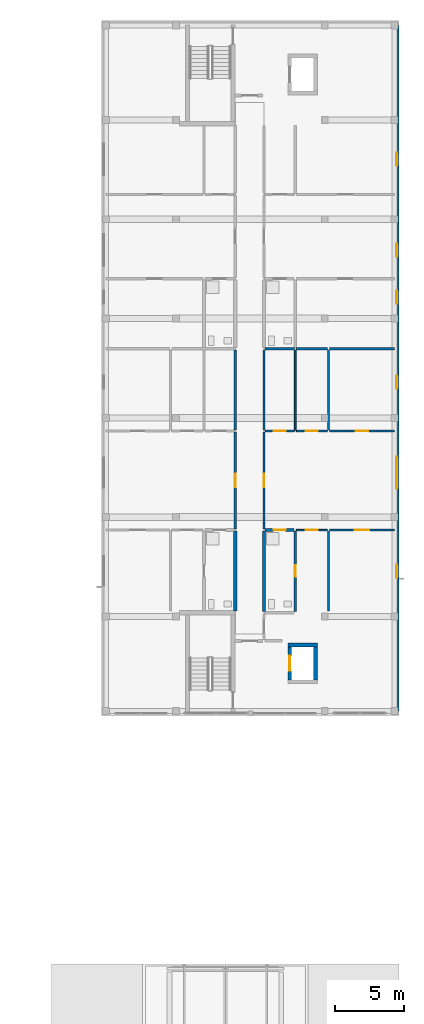
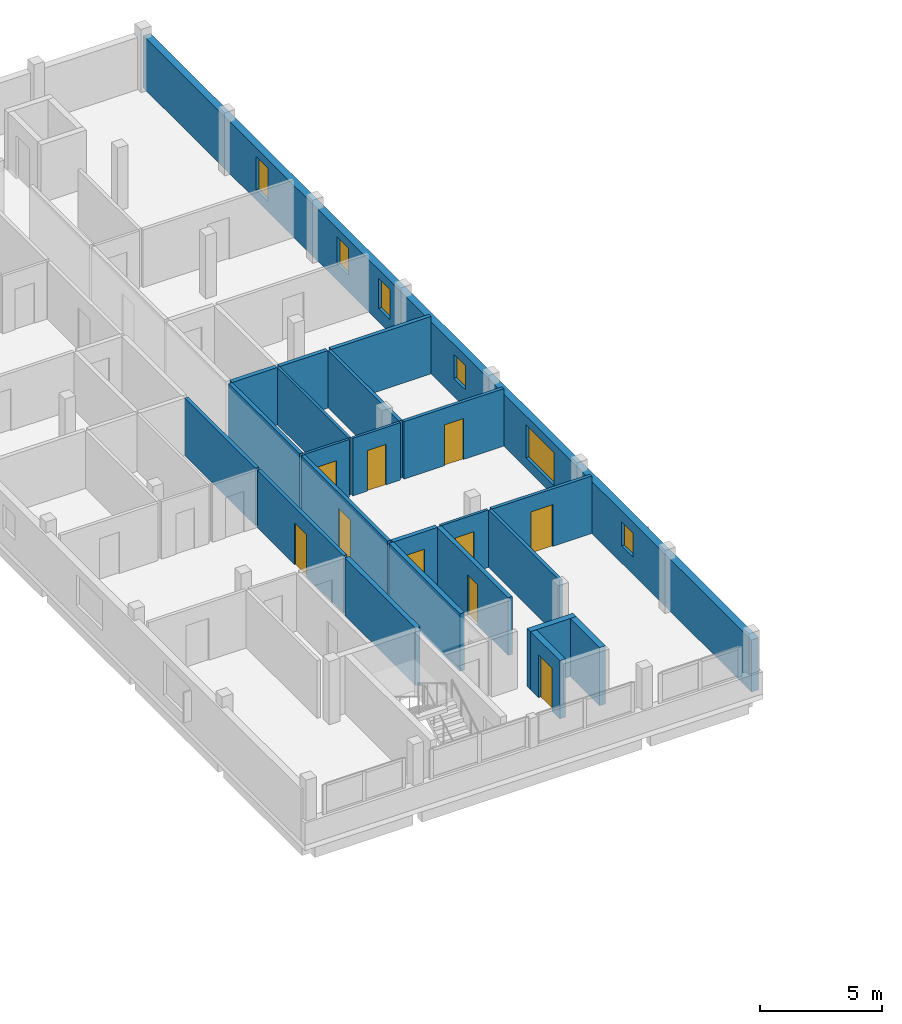
# One storey, part 17 of 29: 23 walls, 10 doors, 6 windows, 16 openings.
"""IFC4 building model written with IfcOpenShell, lengths in metres."""

from ifc_helpers import new_model, si_unit, derived_unit, direction, frame, frame_2d, origin, place, context, subcontext, project, spatial, rectangle, extrude, material, layer, layer_set, type_object, element, fill, save


model = new_model("IFC4")

# Units and contexts
model_context = context("Model", 3, precision=1e-05, world=origin(), true_north=direction((0.0, 1.0)))
body_context = subcontext(model_context, "Body", "Model", "MODEL_VIEW")
ifc_project = project(units=[si_unit("LENGTHUNIT", "METRE"), si_unit("AREAUNIT", "SQUARE_METRE"), si_unit("VOLUMEUNIT", "CUBIC_METRE"), si_unit("PLANEANGLEUNIT", "RADIAN"), si_unit("MASSUNIT", "GRAM", prefix="KILO"), derived_unit("THERMALTRANSMITTANCEUNIT", [(si_unit("MASSUNIT", "GRAM", prefix="KILO"), 1), (si_unit("TIMEUNIT", "SECOND"), -3), (si_unit("THERMODYNAMICTEMPERATUREUNIT", "KELVIN"), -1)])], contexts=[model_context])

# Site, building, storey
site_placement = place(None, origin())
site = spatial("IfcSite", under=ifc_project, at=site_placement, CompositionType="ELEMENT")
building_placement = place(site_placement, origin())
building = spatial("IfcBuilding", under=site, at=building_placement, Name="Ochrekiln Boulevard Commons", CompositionType="ELEMENT")
storey_placement = place(building_placement, frame((0.0, 0.0, 37.27490234375)))
storey = spatial("IfcBuildingStorey", under=building, at=storey_placement, Name="L11", CompositionType="ELEMENT", Elevation=37.27490234375)

# Wall, openings, windows
ifc_material_1 = material(Name="Iron-spot brown clinker brick masonry ASTM C216 Grade SW", Category="masonry")
ifc_layer_1 = layer(ifc_material_1, 0.340087890625)
ifc_layer_set_1 = layer_set([ifc_layer_1], Name="Iron-spot brown clinker brick masonry ASTM C216 Grade SW")
wall_type_1 = type_object("IfcWallType", Name="WL-EXT-IRON-340", PredefinedType="SOLIDWALL", material=ifc_layer_set_1)
wall_1_placement = place(storey_placement, frame((172.6298828125, 68.739990234375, 0.0), z_axis=(0.0, 0.0, 1.0), x_axis=(0.0, 1.0, 0.0)))
wall_1 = element("IfcWall", 1, at=wall_1_placement, inside=storey, type_object=wall_type_1, Name="Block B L11 E Exterior Wall", PredefinedType="SOLIDWALL", context=body_context, shape_type="SweptSolid", body=[
    extrude(rectangle(XDim=49.719970703125, YDim=0.340087890625, at=frame_2d((24.85986328125, 0.0))), origin(), (0.0, 0.0, 1.0), 2.60009765625),
])
opening_1_placement = place(wall_1_placement, frame((16.132080078125, 0.0, 0.514892578125)))
opening_1 = element("IfcOpeningElement", 2, at=opening_1_placement, cuts=wall_1, Name="Opening W-59", PredefinedType="OPENING", context=body_context, shape_type="SweptSolid", body=[
    extrude(rectangle(XDim=2.300048828125, YDim=1.64990234375, at=frame_2d((1.14990234375, 0.824951171875))), frame((0.0, 0.179931640625, 0.0), z_axis=(0.0, -1.0, 0.0), x_axis=(1.0, 0.0, 0.0)), (0.0, 0.0, 1.0), 0.360107421875),
])
opening_2_placement = place(wall_1_placement, frame((9.677978515625, 0.0, 0.85009765625)))
opening_2 = element("IfcOpeningElement", 3, at=opening_2_placement, cuts=wall_1, Name="Opening W-01", PredefinedType="OPENING", context=body_context, shape_type="SweptSolid", body=[
    extrude(rectangle(XDim=0.949951171875, YDim=1.199951171875, at=frame_2d((0.47509765625, 0.60009765625))), frame((0.0, 0.179931640625, 0.0), z_axis=(0.0, -1.0, 0.0), x_axis=(1.0, 0.0, 0.0)), (0.0, 0.0, 1.0), 0.360107421875),
])
opening_3_placement = place(wall_1_placement, frame((23.37890625, 0.0, 0.89990234375)))
opening_3 = element("IfcOpeningElement", 4, at=opening_3_placement, cuts=wall_1, Name="Opening W-01", PredefinedType="OPENING", context=body_context, shape_type="SweptSolid", body=[
    extrude(rectangle(XDim=0.949951171875, YDim=1.199951171875, at=frame_2d((0.47509765625, 0.60009765625))), frame((0.0, 0.179931640625, 0.0), z_axis=(0.0, -1.0, 0.0), x_axis=(1.0, 0.0, 0.0)), (0.0, 0.0, 1.0), 0.360107421875),
])
opening_4_placement = place(wall_1_placement, frame((32.93505859375, 0.0, 0.81494140625)))
opening_4 = element("IfcOpeningElement", 5, at=opening_4_placement, cuts=wall_1, Name="Opening W-02", PredefinedType="OPENING", context=body_context, shape_type="SweptSolid", body=[
    extrude(rectangle(XDim=0.949951171875, YDim=1.35009765625, at=frame_2d((0.47509765625, 0.675048828125))), frame((0.0, 0.179931640625, 0.0), z_axis=(0.0, -1.0, 0.0), x_axis=(1.0, 0.0, 0.0)), (0.0, 0.0, 1.0), 0.360107421875),
])
opening_5_placement = place(wall_1_placement, frame((29.52490234375, 0.0, 0.6650390625)))
opening_5 = element("IfcOpeningElement", 6, at=opening_5_placement, cuts=wall_1, Name="Opening W-03", PredefinedType="OPENING", context=body_context, shape_type="SweptSolid", body=[
    extrude(rectangle(XDim=0.949951171875, YDim=1.5, at=frame_2d((0.47509765625, 0.75))), frame((0.0, 0.179931640625, 0.0), z_axis=(0.0, -1.0, 0.0), x_axis=(1.0, 0.0, 0.0)), (0.0, 0.0, 1.0), 0.360107421875),
])
opening_6_placement = place(wall_1_placement, frame((39.529052734375, 0.0, 0.514892578125)))
opening_6 = element("IfcOpeningElement", 7, at=opening_6_placement, cuts=wall_1, Name="Opening W-04", PredefinedType="OPENING", context=body_context, shape_type="SweptSolid", body=[
    extrude(rectangle(XDim=0.949951171875, YDim=1.64990234375, at=frame_2d((0.47509765625, 0.824951171875))), frame((0.0, 0.179931640625, 0.0), z_axis=(0.0, -1.0, 0.0), x_axis=(1.0, 0.0, 0.0)), (0.0, 0.0, 1.0), 0.360107421875),
])
ifc_material_2 = material(Name="Thermally broken aluminium-clad oak frame", Category="aluminium")
window_type_1 = type_object("IfcWindowType", Name="WIN-EXT-01", PartitioningType="SINGLE_PANEL", PredefinedType="WINDOW", material=ifc_material_2)
window_1_placement = place(opening_2_placement, origin())
window_1 = element("IfcWindow", 8, at=window_1_placement, inside=storey, type_object=window_type_1, Name="Block B L11 Punched Masonry Window W-01", OverallHeight=1.199951171875, OverallWidth=0.949951171875, PartitioningType="SINGLE_PANEL", PredefinedType="WINDOW", context=body_context, shape_type="SweptSolid", body=[
    extrude(rectangle(XDim=0.949951171875, YDim=1.199951171875, at=frame_2d((0.47509765625, 0.60009765625))), frame((0.0, 0.030029296875, 0.0), z_axis=(0.0, -1.0, 0.0), x_axis=(1.0, 0.0, 0.0)), (0.0, 0.0, 1.0), 0.06005859375),
])
fill(opening_2, window_1)
window_2_placement = place(opening_3_placement, origin())
window_2 = element("IfcWindow", 9, at=window_2_placement, inside=storey, type_object=window_type_1, Name="Block B L11 Punched Masonry Window W-01", OverallHeight=1.199951171875, OverallWidth=0.949951171875, PartitioningType="SINGLE_PANEL", PredefinedType="WINDOW", context=body_context, shape_type="SweptSolid", body=[
    extrude(rectangle(XDim=0.949951171875, YDim=1.199951171875, at=frame_2d((0.47509765625, 0.60009765625))), frame((0.0, 0.030029296875, 0.0), z_axis=(0.0, -1.0, 0.0), x_axis=(1.0, 0.0, 0.0)), (0.0, 0.0, 1.0), 0.06005859375),
])
fill(opening_3, window_2)
window_type_2 = type_object("IfcWindowType", Name="WIN-EXT-02", PartitioningType="SINGLE_PANEL", PredefinedType="WINDOW", material=ifc_material_2)
window_3_placement = place(opening_4_placement, origin())
window_3 = element("IfcWindow", 10, at=window_3_placement, inside=storey, type_object=window_type_2, Name="Block B L11 Punched Masonry Window W-02", OverallHeight=1.35009765625, OverallWidth=0.949951171875, PartitioningType="SINGLE_PANEL", PredefinedType="WINDOW", context=body_context, shape_type="SweptSolid", body=[
    extrude(rectangle(XDim=0.949951171875, YDim=1.35009765625, at=frame_2d((0.47509765625, 0.675048828125))), frame((0.0, 0.030029296875, 0.0), z_axis=(0.0, -1.0, 0.0), x_axis=(1.0, 0.0, 0.0)), (0.0, 0.0, 1.0), 0.06005859375),
])
fill(opening_4, window_3)
window_type_3 = type_object("IfcWindowType", Name="WIN-EXT-03", PartitioningType="SINGLE_PANEL", PredefinedType="WINDOW", material=ifc_material_2)
window_4_placement = place(opening_5_placement, origin())
window_4 = element("IfcWindow", 11, at=window_4_placement, inside=storey, type_object=window_type_3, Name="Block B L11 Punched Masonry Window W-03", OverallHeight=1.5, OverallWidth=0.949951171875, PartitioningType="SINGLE_PANEL", PredefinedType="WINDOW", context=body_context, shape_type="SweptSolid", body=[
    extrude(rectangle(XDim=0.949951171875, YDim=1.5, at=frame_2d((0.47509765625, 0.75))), frame((0.0, 0.030029296875, 0.0), z_axis=(0.0, -1.0, 0.0), x_axis=(1.0, 0.0, 0.0)), (0.0, 0.0, 1.0), 0.06005859375),
])
fill(opening_5, window_4)
window_type_4 = type_object("IfcWindowType", Name="WIN-EXT-04", PartitioningType="SINGLE_PANEL", PredefinedType="WINDOW", material=ifc_material_2)
window_5_placement = place(opening_6_placement, origin())
window_5 = element("IfcWindow", 12, at=window_5_placement, inside=storey, type_object=window_type_4, Name="Block B L11 Punched Masonry Window W-04", OverallHeight=1.64990234375, OverallWidth=0.949951171875, PartitioningType="SINGLE_PANEL", PredefinedType="WINDOW", context=body_context, shape_type="SweptSolid", body=[
    extrude(rectangle(XDim=0.949951171875, YDim=1.64990234375, at=frame_2d((0.47509765625, 0.824951171875))), frame((0.0, 0.030029296875, 0.0), z_axis=(0.0, -1.0, 0.0), x_axis=(1.0, 0.0, 0.0)), (0.0, 0.0, 1.0), 0.06005859375),
])
fill(opening_6, window_5)
window_type_5 = type_object("IfcWindowType", Name="WIN-EXT-59", PartitioningType="DOUBLE_PANEL_VERTICAL", PredefinedType="WINDOW", material=ifc_material_2)
window_6_placement = place(opening_1_placement, origin())
window_6 = element("IfcWindow", 13, at=window_6_placement, inside=storey, type_object=window_type_5, Name="Block B L11 Punched Masonry Window W-59", OverallHeight=1.64990234375, OverallWidth=2.300048828125, PartitioningType="DOUBLE_PANEL_VERTICAL", PredefinedType="WINDOW", context=body_context, shape_type="SweptSolid", body=[
    extrude(rectangle(XDim=2.300048828125, YDim=1.64990234375, at=frame_2d((1.14990234375, 0.824951171875))), frame((0.0, 0.030029296875, 0.0), z_axis=(0.0, -1.0, 0.0), x_axis=(1.0, 0.0, 0.0)), (0.0, 0.0, 1.0), 0.06005859375),
])
fill(opening_1, window_6)

# Wall, opening, door
ifc_material_3 = material(Name="Moisture-resistant cementitious tile backer wall")
ifc_layer_2 = layer(ifc_material_3, 0.199951171875)
ifc_layer_set_2 = layer_set([ifc_layer_2], Name="Moisture-resistant cementitious tile backer wall")
wall_type_2 = type_object("IfcWallType", Name="WL-PLM-200", PredefinedType="PLUMBINGWALL", material=ifc_layer_set_2)
wall_2_placement = place(storey_placement, frame((163.072998046875, 81.864990234375, 0.0), z_axis=(0.0, 0.0, 1.0), x_axis=(1.0, 0.0, 0.0)))
wall_2 = element("IfcWall", 14, at=wall_2_placement, inside=storey, type_object=wall_type_2, Name="L11 Interior Wall W-PW200", PredefinedType="PLUMBINGWALL", context=body_context, shape_type="SweptSolid", body=[
    extrude(rectangle(XDim=2.10693359375, YDim=0.199951171875, at=frame_2d((1.053466796875, 0.0))), origin(), (0.0, 0.0, 1.0), 2.8701171875),
])
opening_7_placement = place(wall_2_placement, frame((0.626953125, 0.0, 0.0)))
opening_7 = element("IfcOpeningElement", 15, at=opening_7_placement, cuts=wall_2, Name="Opening D-L11-1280", PredefinedType="OPENING", context=body_context, shape_type="SweptSolid", body=[
    extrude(rectangle(XDim=0.860107421875, YDim=2.0, at=frame_2d((0.43017578125, 1.0))), frame((0.0, 0.10986328125, 0.0), z_axis=(0.0, -1.0, 0.0), x_axis=(1.0, 0.0, 0.0)), (0.0, 0.0, 1.0), 0.219970703125),
])
ifc_material_4 = material(Name="Solid core architectural oak door leaf")
door_type_1 = type_object("IfcDoorType", Name="DR-INT-BTH-086", OperationType="NOTDEFINED", PredefinedType="DOOR", material=ifc_material_4)
door_1_placement = place(opening_7_placement, frame((0.860107421875, 0.0, 0.0), z_axis=(0.0, 0.0, 1.0), x_axis=(-1.0, 0.0, 0.0)))
door_1 = element("IfcDoor", 16, at=door_1_placement, inside=storey, type_object=door_type_1, Name="L11 Interior Door to Apartment Bathroom", OperationType="SINGLE_SWING_RIGHT", OverallHeight=2.0, OverallWidth=0.860107421875, PredefinedType="DOOR", context=body_context, shape_type="SweptSolid", body=[
    extrude(rectangle(XDim=0.860107421875, YDim=2.0, at=frame_2d((0.43017578125, 1.0))), frame((0.0, 0.02490234375, 0.0), z_axis=(0.0, -1.0, 0.0), x_axis=(1.0, 0.0, 0.0)), (0.0, 0.0, 1.0), 0.050048828125),
])
fill(opening_7, door_1)

wall_3_placement = place(storey_placement, frame((165.260009765625, 75.97509765625, 0.0), z_axis=(0.0, 0.0, 1.0), x_axis=(0.0, 1.0, 0.0)))
wall_3 = element("IfcWall", 17, at=wall_3_placement, inside=storey, type_object=wall_type_2, Name="L11 Interior Wall W-PW200", PredefinedType="PLUMBINGWALL", context=body_context, shape_type="SweptSolid", body=[
    extrude(rectangle(XDim=5.829833984375, YDim=0.199951171875, at=frame_2d((2.9150390625, 0.0))), origin(), (0.0, 0.0, 1.0), 2.8701171875),
])
opening_8_placement = place(wall_3_placement, frame((2.492919921875, 0.0, 0.0)))
opening_8 = element("IfcOpeningElement", 18, at=opening_8_placement, cuts=wall_3, Name="Opening D-L11-1286", PredefinedType="OPENING", context=body_context, shape_type="SweptSolid", body=[
    extrude(rectangle(XDim=0.85009765625, YDim=2.010009765625, at=frame_2d((0.425048828125, 1.0048828125))), frame((0.0, 0.10986328125, 0.0), z_axis=(0.0, -1.0, 0.0), x_axis=(1.0, 0.0, 0.0)), (0.0, 0.0, 1.0), 0.219970703125),
])
door_type_2 = type_object("IfcDoorType", Name="DR-INT-KIT-085", OperationType="NOTDEFINED", PredefinedType="DOOR", material=ifc_material_4)
door_2_placement = place(opening_8_placement, origin())
door_2 = element("IfcDoor", 19, at=door_2_placement, inside=storey, type_object=door_type_2, Name="L11 Interior Door to Apartment Bathroom", OperationType="SINGLE_SWING_RIGHT", OverallHeight=2.010009765625, OverallWidth=0.85009765625, PredefinedType="DOOR", context=body_context, shape_type="SweptSolid", body=[
    extrude(rectangle(XDim=0.85009765625, YDim=2.010009765625, at=frame_2d((0.425048828125, 1.0048828125))), frame((0.0, 0.02490234375, 0.0), z_axis=(0.0, -1.0, 0.0), x_axis=(1.0, 0.0, 0.0)), (0.0, 0.0, 1.0), 0.050048828125),
])
fill(opening_8, door_2)

# Walls
wall_4_placement = place(storey_placement, frame((163.072998046875, 95.008056640625, 0.0), z_axis=(0.0, 0.0, 1.0), x_axis=(1.0, 0.0, 0.0)))
element("IfcWall", 20, at=wall_4_placement, inside=storey, type_object=wall_type_2, Name="L11 Interior Wall W-PW200", PredefinedType="PLUMBINGWALL", context=body_context, shape_type="SweptSolid", body=[
    extrude(rectangle(XDim=2.126953125, YDim=0.199951171875, at=frame_2d((1.0634765625, 0.0))), origin(), (0.0, 0.0, 1.0), 2.8701171875),
])
ifc_layer_3 = layer(ifc_material_3, 0.219970703125)
ifc_layer_set_3 = layer_set([ifc_layer_3], Name="Moisture-resistant cementitious tile backer wall")
wall_type_3 = type_object("IfcWallType", Name="WL-PLM-220", PredefinedType="PLUMBINGWALL", material=ifc_layer_set_3)
wall_5_placement = place(storey_placement, frame((160.909912109375, 76.0, 0.0), z_axis=(0.0, 0.0, 1.0), x_axis=(0.0, 1.0, 0.0)))
element("IfcWall", 21, at=wall_5_placement, inside=storey, type_object=wall_type_3, Name="L11 Interior Wall W-PW220", PredefinedType="PLUMBINGWALL", context=body_context, shape_type="SweptSolid", body=[
    extrude(rectangle(XDim=5.784912109375, YDim=0.219970703125, at=frame_2d((2.892578125, 0.0))), origin(), (0.0, 0.0, 1.0), 2.8701171875),
])
wall_6_placement = place(storey_placement, frame((162.989990234375, 75.97509765625, 0.0), z_axis=(0.0, 0.0, 1.0), x_axis=(0.0, 1.0, 0.0)))
element("IfcWall", 22, at=wall_6_placement, inside=storey, type_object=wall_type_3, Name="L11 Interior Wall W-PW220", PredefinedType="PLUMBINGWALL", context=body_context, shape_type="SweptSolid", body=[
    extrude(rectangle(XDim=5.809814453125, YDim=0.219970703125, at=frame_2d((2.90478515625, 0.0))), origin(), (0.0, 0.0, 1.0), 2.8701171875),
])

# Wall, opening, door
ifc_material_5 = material(Name="Fire-rated Type X gypsum board on steel studs", Category="steel")
ifc_layer_4 = layer(ifc_material_5, 0.1650390625)
ifc_layer_set_4 = layer_set([ifc_layer_4], Name="Fire-rated Type X gypsum board on steel studs")
wall_type_4 = type_object("IfcWallType", Name="WL-PT-CORR-165", PredefinedType="PARTITIONING", material=ifc_layer_set_4)
wall_7_placement = place(storey_placement, frame((160.909912109375, 81.945068359375, 0.0), z_axis=(0.0, 0.0, 1.0), x_axis=(0.0, 1.0, 0.0)))
wall_7 = element("IfcWall", 23, at=wall_7_placement, inside=storey, type_object=wall_type_4, Name="L11 Interior Wall W-PC165", PredefinedType="PARTITIONING", context=body_context, shape_type="SweptSolid", body=[
    extrude(rectangle(XDim=7.02783203125, YDim=0.1650390625, at=frame_2d((3.513916015625, 0.0))), origin(), (0.0, 0.0, 1.0), 2.8701171875),
])
opening_9_placement = place(wall_7_placement, frame((3.02392578125, 0.0, 0.0)))
opening_9 = element("IfcOpeningElement", 24, at=opening_9_placement, cuts=wall_7, Name="Opening D-L11-1265", PredefinedType="OPENING", context=body_context, shape_type="SweptSolid", body=[
    extrude(rectangle(XDim=0.97998046875, YDim=2.080078125, at=frame_2d((0.489990234375, 1.0400390625))), frame((0.0, 0.092529296875, 0.0), z_axis=(0.0, -1.0, 0.0), x_axis=(1.0, 0.0, 0.0)), (0.0, 0.0, 1.0), 0.18505859375),
])
door_type_3 = type_object("IfcDoorType", Name="DR-APT-60", OperationType="NOTDEFINED", PredefinedType="DOOR", material=ifc_material_4)
door_3_placement = place(opening_9_placement, origin())
door_3 = element("IfcDoor", 25, at=door_3_placement, inside=storey, type_object=door_type_3, Name="L11 Interior Door to Two-Bedroom Apartment Living Room", OperationType="SINGLE_SWING_LEFT", OverallHeight=2.080078125, OverallWidth=0.97998046875, PredefinedType="DOOR", context=body_context, shape_type="SweptSolid", body=[
    extrude(rectangle(XDim=0.97998046875, YDim=2.080078125, at=frame_2d((0.489990234375, 1.0400390625))), frame((0.0, 0.02490234375, 0.0), z_axis=(0.0, -1.0, 0.0), x_axis=(1.0, 0.0, 0.0)), (0.0, 0.0, 1.0), 0.050048828125),
])
fill(opening_9, door_3)

# Wall
wall_8_placement = place(storey_placement, frame((160.909912109375, 89.133056640625, 0.0), z_axis=(0.0, 0.0, 1.0), x_axis=(0.0, 1.0, 0.0)))
element("IfcWall", 26, at=wall_8_placement, inside=storey, type_object=wall_type_4, Name="L11 Interior Wall W-PC165", PredefinedType="PARTITIONING", context=body_context, shape_type="SweptSolid", body=[
    extrude(rectangle(XDim=5.784912109375, YDim=0.1650390625, at=frame_2d((2.892578125, 0.0))), origin(), (0.0, 0.0, 1.0), 2.8701171875),
])

# Wall, opening, door
wall_9_placement = place(storey_placement, frame((162.989990234375, 81.945068359375, 0.0), z_axis=(0.0, 0.0, 1.0), x_axis=(0.0, 1.0, 0.0)))
wall_9 = element("IfcWall", 27, at=wall_9_placement, inside=storey, type_object=wall_type_4, Name="L11 Interior Wall W-PC165", PredefinedType="PARTITIONING", context=body_context, shape_type="SweptSolid", body=[
    extrude(rectangle(XDim=7.02783203125, YDim=0.1650390625, at=frame_2d((3.513916015625, 0.0))), origin(), (0.0, 0.0, 1.0), 2.8701171875),
])
opening_10_placement = place(wall_9_placement, frame((3.02392578125, 0.0, 0.0)))
opening_10 = element("IfcOpeningElement", 28, at=opening_10_placement, cuts=wall_9, Name="Opening D-L11-1267", PredefinedType="OPENING", context=body_context, shape_type="SweptSolid", body=[
    extrude(rectangle(XDim=0.97998046875, YDim=2.080078125, at=frame_2d((0.489990234375, 1.0400390625))), frame((0.0, 0.092529296875, 0.0), z_axis=(0.0, -1.0, 0.0), x_axis=(1.0, 0.0, 0.0)), (0.0, 0.0, 1.0), 0.18505859375),
])
door_4_placement = place(opening_10_placement, frame((0.97998046875, 0.0, 0.0), z_axis=(0.0, 0.0, 1.0), x_axis=(-1.0, 0.0, 0.0)))
door_4 = element("IfcDoor", 29, at=door_4_placement, inside=storey, type_object=door_type_3, Name="L11 Interior Door to Two-Bedroom Apartment Living Room", OperationType="SINGLE_SWING_LEFT", OverallHeight=2.080078125, OverallWidth=0.97998046875, PredefinedType="DOOR", context=body_context, shape_type="SweptSolid", body=[
    extrude(rectangle(XDim=0.97998046875, YDim=2.080078125, at=frame_2d((0.489990234375, 1.0400390625))), frame((0.0, 0.02490234375, 0.0), z_axis=(0.0, -1.0, 0.0), x_axis=(1.0, 0.0, 0.0)), (0.0, 0.0, 1.0), 0.050048828125),
])
fill(opening_10, door_4)

# Walls
wall_10_placement = place(storey_placement, frame((162.989990234375, 89.133056640625, 0.0), z_axis=(0.0, 0.0, 1.0), x_axis=(0.0, 1.0, 0.0)))
element("IfcWall", 30, at=wall_10_placement, inside=storey, type_object=wall_type_4, Name="L11 Interior Wall W-PC165", PredefinedType="PARTITIONING", context=body_context, shape_type="SweptSolid", body=[
    extrude(rectangle(XDim=5.784912109375, YDim=0.1650390625, at=frame_2d((2.892578125, 0.0))), origin(), (0.0, 0.0, 1.0), 2.8701171875),
])
ifc_layer_5 = layer(ifc_material_5, 0.179931640625)
ifc_layer_set_5 = layer_set([ifc_layer_5], Name="Fire-rated Type X gypsum board on steel studs")
wall_type_5 = type_object("IfcWallType", Name="WL-PT-DEM-180", PredefinedType="PARTITIONING", material=ifc_layer_set_5)
wall_11_placement = place(storey_placement, frame((167.7451171875, 95.008056640625, 0.0), z_axis=(0.0, 0.0, 1.0), x_axis=(1.0, 0.0, 0.0)))
element("IfcWall", 31, at=wall_11_placement, inside=storey, type_object=wall_type_5, Name="L11 Interior Wall W-PD180", PredefinedType="PARTITIONING", context=body_context, shape_type="SweptSolid", body=[
    extrude(rectangle(XDim=4.71484375, YDim=0.179931640625, at=frame_2d((2.357421875, 0.0))), origin(), (0.0, 0.0, 1.0), 2.8701171875),
])
wall_12_placement = place(storey_placement, frame((165.320068359375, 95.008056640625, 0.0), z_axis=(0.0, 0.0, 1.0), x_axis=(1.0, 0.0, 0.0)))
element("IfcWall", 32, at=wall_12_placement, inside=storey, type_object=wall_type_5, Name="L11 Interior Wall W-PD180", PredefinedType="PARTITIONING", context=body_context, shape_type="SweptSolid", body=[
    extrude(rectangle(XDim=2.27001953125, YDim=0.179931640625, at=frame_2d((1.135009765625, 0.0))), origin(), (0.0, 0.0, 1.0), 2.8701171875),
])

# Wall, opening, door
ifc_layer_6 = layer(ifc_material_5, 0.1201171875)
ifc_layer_set_6 = layer_set([ifc_layer_6], Name="Fire-rated Type X gypsum board on steel studs")
wall_type_6 = type_object("IfcWallType", Name="WL-PT-LGT-120", PredefinedType="PARTITIONING", material=ifc_layer_set_6)
wall_13_placement = place(storey_placement, frame((163.072998046875, 89.052978515625, 0.0), z_axis=(0.0, 0.0, 1.0), x_axis=(1.0, 0.0, 0.0)))
wall_13 = element("IfcWall", 33, at=wall_13_placement, inside=storey, type_object=wall_type_6, Name="L11 Interior Wall W-PL120", PredefinedType="PARTITIONING", context=body_context, shape_type="SweptSolid", body=[
    extrude(rectangle(XDim=2.10693359375, YDim=0.1201171875, at=frame_2d((1.053466796875, 0.0))), origin(), (0.0, 0.0, 1.0), 2.8701171875),
])
opening_11_placement = place(wall_13_placement, frame((0.616943359375, 0.0, 0.0)))
opening_11 = element("IfcOpeningElement", 34, at=opening_11_placement, cuts=wall_13, Name="Opening D-L11-1281", PredefinedType="OPENING", context=body_context, shape_type="SweptSolid", body=[
    extrude(rectangle(XDim=0.8798828125, YDim=2.02001953125, at=frame_2d((0.43994140625, 1.010009765625))), frame((0.0, 0.070068359375, 0.0), z_axis=(0.0, -1.0, 0.0), x_axis=(1.0, 0.0, 0.0)), (0.0, 0.0, 1.0), 0.14013671875),
])
door_type_4 = type_object("IfcDoorType", Name="DR-INT-KIT-088", OperationType="NOTDEFINED", PredefinedType="DOOR", material=ifc_material_4)
door_5_placement = place(opening_11_placement, origin())
door_5 = element("IfcDoor", 35, at=door_5_placement, inside=storey, type_object=door_type_4, Name="L11 Interior Door to Apartment Kitchen", OperationType="SINGLE_SWING_LEFT", OverallHeight=2.02001953125, OverallWidth=0.8798828125, PredefinedType="DOOR", context=body_context, shape_type="SweptSolid", body=[
    extrude(rectangle(XDim=0.8798828125, YDim=2.02001953125, at=frame_2d((0.43994140625, 1.010009765625))), frame((0.0, 0.02490234375, 0.0), z_axis=(0.0, -1.0, 0.0), x_axis=(1.0, 0.0, 0.0)), (0.0, 0.0, 1.0), 0.050048828125),
])
fill(opening_11, door_5)

wall_14_placement = place(storey_placement, frame((165.340087890625, 81.864990234375, 0.0), z_axis=(0.0, 0.0, 1.0), x_axis=(1.0, 0.0, 0.0)))
wall_14 = element("IfcWall", 36, at=wall_14_placement, inside=storey, type_object=wall_type_6, Name="L11 Interior Wall W-PL120", PredefinedType="PARTITIONING", context=body_context, shape_type="SweptSolid", body=[
    extrude(rectangle(XDim=2.25, YDim=0.1201171875, at=frame_2d((1.125, 0.0))), origin(), (0.0, 0.0, 1.0), 2.8701171875),
])
opening_12_placement = place(wall_14_placement, frame((0.68505859375, 0.0, 0.0)))
opening_12 = element("IfcOpeningElement", 37, at=opening_12_placement, cuts=wall_14, Name="Opening D-L11-1283", PredefinedType="OPENING", context=body_context, shape_type="SweptSolid", body=[
    extrude(rectangle(XDim=0.8798828125, YDim=2.02001953125, at=frame_2d((0.43994140625, 1.010009765625))), frame((0.0, 0.070068359375, 0.0), z_axis=(0.0, -1.0, 0.0), x_axis=(1.0, 0.0, 0.0)), (0.0, 0.0, 1.0), 0.14013671875),
])
door_6_placement = place(opening_12_placement, frame((0.8798828125, 0.0, 0.0), z_axis=(0.0, 0.0, 1.0), x_axis=(-1.0, 0.0, 0.0)))
door_6 = element("IfcDoor", 38, at=door_6_placement, inside=storey, type_object=door_type_4, Name="L11 Interior Door to Apartment Walk-In Wardrobe", OperationType="SINGLE_SWING_LEFT", OverallHeight=2.02001953125, OverallWidth=0.8798828125, PredefinedType="DOOR", context=body_context, shape_type="SweptSolid", body=[
    extrude(rectangle(XDim=0.8798828125, YDim=2.02001953125, at=frame_2d((0.43994140625, 1.010009765625))), frame((0.0, 0.02490234375, 0.0), z_axis=(0.0, -1.0, 0.0), x_axis=(1.0, 0.0, 0.0)), (0.0, 0.0, 1.0), 0.050048828125),
])
fill(opening_12, door_6)

wall_15_placement = place(storey_placement, frame((165.340087890625, 89.052978515625, 0.0), z_axis=(0.0, 0.0, 1.0), x_axis=(1.0, 0.0, 0.0)))
wall_15 = element("IfcWall", 39, at=wall_15_placement, inside=storey, type_object=wall_type_6, Name="L11 Interior Wall W-PL120", PredefinedType="PARTITIONING", context=body_context, shape_type="SweptSolid", body=[
    extrude(rectangle(XDim=2.25, YDim=0.1201171875, at=frame_2d((1.125, 0.0))), origin(), (0.0, 0.0, 1.0), 2.8701171875),
])
opening_13_placement = place(wall_15_placement, frame((0.68505859375, 0.0, 0.0)))
opening_13 = element("IfcOpeningElement", 40, at=opening_13_placement, cuts=wall_15, Name="Opening D-L11-1285", PredefinedType="OPENING", context=body_context, shape_type="SweptSolid", body=[
    extrude(rectangle(XDim=0.8798828125, YDim=2.02001953125, at=frame_2d((0.43994140625, 1.010009765625))), frame((0.0, 0.070068359375, 0.0), z_axis=(0.0, -1.0, 0.0), x_axis=(1.0, 0.0, 0.0)), (0.0, 0.0, 1.0), 0.14013671875),
])
door_7_placement = place(opening_13_placement, origin())
door_7 = element("IfcDoor", 41, at=door_7_placement, inside=storey, type_object=door_type_4, Name="L11 Interior Door to Apartment Walk-In Wardrobe", OperationType="SINGLE_SWING_LEFT", OverallHeight=2.02001953125, OverallWidth=0.8798828125, PredefinedType="DOOR", context=body_context, shape_type="SweptSolid", body=[
    extrude(rectangle(XDim=0.8798828125, YDim=2.02001953125, at=frame_2d((0.43994140625, 1.010009765625))), frame((0.0, 0.02490234375, 0.0), z_axis=(0.0, -1.0, 0.0), x_axis=(1.0, 0.0, 0.0)), (0.0, 0.0, 1.0), 0.050048828125),
])
fill(opening_13, door_7)

# Wall
wall_16_placement = place(storey_placement, frame((165.260009765625, 89.113037109375, 0.0), z_axis=(0.0, 0.0, 1.0), x_axis=(0.0, 1.0, 0.0)))
element("IfcWall", 42, at=wall_16_placement, inside=storey, type_object=wall_type_6, Name="L11 Interior Wall W-PL120", PredefinedType="PARTITIONING", context=body_context, shape_type="SweptSolid", body=[
    extrude(rectangle(XDim=5.804931640625, YDim=0.1201171875, at=frame_2d((2.90234375, 0.0))), origin(), (0.0, 0.0, 1.0), 2.8701171875),
])

# Wall, opening, door
ifc_layer_7 = layer(ifc_material_5, 0.14990234375)
ifc_layer_set_7 = layer_set([ifc_layer_7], Name="Fire-rated Type X gypsum board on steel studs")
wall_type_7 = type_object("IfcWallType", Name="WL-PT-STD-150", PredefinedType="PARTITIONING", material=ifc_layer_set_7)
wall_17_placement = place(storey_placement, frame((167.75, 81.864990234375, 0.0), z_axis=(0.0, 0.0, 1.0), x_axis=(1.0, 0.0, 0.0)))
wall_17 = element("IfcWall", 43, at=wall_17_placement, inside=storey, type_object=wall_type_7, Name="L11 Interior Wall W-PS150", PredefinedType="PARTITIONING", context=body_context, shape_type="SweptSolid", body=[
    extrude(rectangle(XDim=4.7099609375, YDim=0.14990234375, at=frame_2d((2.35498046875, 0.0))), origin(), (0.0, 0.0, 1.0), 2.8701171875),
])
opening_14_placement = place(wall_17_placement, frame((1.830078125, 0.0, 0.0)))
opening_14 = element("IfcOpeningElement", 44, at=opening_14_placement, cuts=wall_17, Name="Opening D-L11-1282", PredefinedType="OPENING", context=body_context, shape_type="SweptSolid", body=[
    extrude(rectangle(XDim=1.0400390625, YDim=2.080078125, at=frame_2d((0.52001953125, 1.0400390625))), frame((0.0, 0.0849609375, 0.0), z_axis=(0.0, -1.0, 0.0), x_axis=(1.0, 0.0, 0.0)), (0.0, 0.0, 1.0), 0.169921875),
])
door_type_5 = type_object("IfcDoorType", Name="DR-INT-BED-104", OperationType="NOTDEFINED", PredefinedType="DOOR", material=ifc_material_4)
door_8_placement = place(opening_14_placement, frame((1.0400390625, 0.0, 0.0), z_axis=(0.0, 0.0, 1.0), x_axis=(-1.0, 0.0, 0.0)))
door_8 = element("IfcDoor", 45, at=door_8_placement, inside=storey, type_object=door_type_5, Name="L11 Interior Door to Primary Apartment Bedroom", OperationType="SINGLE_SWING_RIGHT", OverallHeight=2.080078125, OverallWidth=1.0400390625, PredefinedType="DOOR", context=body_context, shape_type="SweptSolid", body=[
    extrude(rectangle(XDim=1.0400390625, YDim=2.080078125, at=frame_2d((0.52001953125, 1.0400390625))), frame((0.0, 0.02490234375, 0.0), z_axis=(0.0, -1.0, 0.0), x_axis=(1.0, 0.0, 0.0)), (0.0, 0.0, 1.0), 0.050048828125),
])
fill(opening_14, door_8)

wall_18_placement = place(storey_placement, frame((167.75, 89.052978515625, 0.0), z_axis=(0.0, 0.0, 1.0), x_axis=(1.0, 0.0, 0.0)))
wall_18 = element("IfcWall", 46, at=wall_18_placement, inside=storey, type_object=wall_type_7, Name="L11 Interior Wall W-PS150", PredefinedType="PARTITIONING", context=body_context, shape_type="SweptSolid", body=[
    extrude(rectangle(XDim=4.7099609375, YDim=0.14990234375, at=frame_2d((2.35498046875, 0.0))), origin(), (0.0, 0.0, 1.0), 2.8701171875),
])
opening_15_placement = place(wall_18_placement, frame((1.89990234375, 0.0, 0.0)))
opening_15 = element("IfcOpeningElement", 47, at=opening_15_placement, cuts=wall_18, Name="Opening D-L11-1284", PredefinedType="OPENING", context=body_context, shape_type="SweptSolid", body=[
    extrude(rectangle(XDim=0.89990234375, YDim=2.0400390625, at=frame_2d((0.449951171875, 1.02001953125))), frame((0.0, 0.0849609375, 0.0), z_axis=(0.0, -1.0, 0.0), x_axis=(1.0, 0.0, 0.0)), (0.0, 0.0, 1.0), 0.169921875),
])
door_type_6 = type_object("IfcDoorType", Name="DR-INT-BED-090", OperationType="NOTDEFINED", PredefinedType="DOOR", material=ifc_material_4)
door_9_placement = place(opening_15_placement, origin())
door_9 = element("IfcDoor", 48, at=door_9_placement, inside=storey, type_object=door_type_6, Name="L11 Interior Door to Secondary Apartment Bedroom", OperationType="SINGLE_SWING_RIGHT", OverallHeight=2.0400390625, OverallWidth=0.89990234375, PredefinedType="DOOR", context=body_context, shape_type="SweptSolid", body=[
    extrude(rectangle(XDim=0.89990234375, YDim=2.0400390625, at=frame_2d((0.449951171875, 1.02001953125))), frame((0.0, 0.02490234375, 0.0), z_axis=(0.0, -1.0, 0.0), x_axis=(1.0, 0.0, 0.0)), (0.0, 0.0, 1.0), 0.050048828125),
])
fill(opening_15, door_9)

# Walls
for number, where, z_axis, x_axis, name in (
    (49, (167.669921875, 76.0, 0.0), (0.0, 0.0, 1.0), (0.0, 1.0, 0.0), "L11 Interior Wall W-PS150"),
    (50, (167.669921875, 89.113037109375, 0.0), (0.0, 0.0, 1.0), (0.0, 1.0, 0.0), "L11 Interior Wall W-PS150"),
):
    element("IfcWall", number, at=place(storey_placement, frame(where, z_axis=z_axis, x_axis=x_axis)), inside=storey, type_object=wall_type_7, Name=name, PredefinedType="PARTITIONING", context=body_context, shape_type="SweptSolid", body=[
        extrude(rectangle(XDim=5.804931640625, YDim=0.14990234375, at=frame_2d((2.90234375, 0.0))), origin(), (0.0, 0.0, 1.0), 2.8701171875),
    ])
ifc_material_6 = material(Name="Concrete C40/50", Category="concrete")
ifc_layer_8 = layer(ifc_material_6, 0.27490234375)
ifc_layer_set_8 = layer_set([ifc_layer_8], Name="Concrete C40/50")
wall_type_8 = type_object("IfcWallType", Name="WL-SH-275", PredefinedType="SHEAR", material=ifc_layer_set_8)
wall_19_placement = place(storey_placement, frame((164.72509765625, 73.53759765625, 0.0), z_axis=(0.0, 0.0, 1.0), x_axis=(1.0, 0.0, 0.0)))
element("IfcWall", 51, at=wall_19_placement, inside=storey, type_object=wall_type_8, Name="Elevator FF-B1 L11 Hoistway Shear Wall", PredefinedType="SHEAR", context=body_context, shape_type="SweptSolid", body=[
    extrude(rectangle(XDim=2.14990234375, YDim=0.27490234375, at=frame_2d((1.074951171875, 0.0))), origin(), (0.0, 0.0, 1.0), 2.900146484375),
])

# Wall, opening, door
wall_20_placement = place(storey_placement, frame((164.862548828125, 71.0, 0.0), z_axis=(0.0, 0.0, 1.0), x_axis=(0.0, 1.0, 0.0)))
wall_20 = element("IfcWall", 52, at=wall_20_placement, inside=storey, type_object=wall_type_8, Name="Elevator FF-B1 L11 Hoistway Shear Wall", PredefinedType="SHEAR", context=body_context, shape_type="SweptSolid", body=[
    extrude(rectangle(XDim=2.39990234375, YDim=0.27490234375, at=frame_2d((1.199951171875, 0.0))), origin(), (0.0, 0.0, 1.0), 2.900146484375),
])
opening_16_placement = place(wall_20_placement, frame((0.64990234375, 0.0, 0.0)))
opening_16 = element("IfcOpeningElement", 53, at=opening_16_placement, cuts=wall_20, Name="Opening LD-FF-B1-L11", PredefinedType="OPENING", context=body_context, shape_type="SweptSolid", body=[
    extrude(rectangle(XDim=1.10009765625, YDim=2.14990234375, at=frame_2d((0.550048828125, 1.074951171875))), frame((0.0, 0.1474609375, 0.0), z_axis=(0.0, -1.0, 0.0), x_axis=(1.0, 0.0, 0.0)), (0.0, 0.0, 1.0), 0.294921875),
])
ifc_material_7 = material(Name="Brushed stainless steel 316 elevator cab and doors", Category="steel")
door_type_7 = type_object("IfcDoorType", Name="DR-LIFT-LD90", OperationType="SLIDING_TO_LEFT", PredefinedType="DOOR", material=ifc_material_7)
door_10_placement = place(opening_16_placement, origin())
door_10 = element("IfcDoor", 54, at=door_10_placement, inside=storey, type_object=door_type_7, Name="Elevator FF-B1 L11 Sliding Landing Door LD-FF-B1-L11", OperationType="SLIDING_TO_LEFT", OverallHeight=2.14990234375, OverallWidth=1.10009765625, PredefinedType="DOOR", context=body_context, shape_type="SweptSolid", body=[
    extrude(rectangle(XDim=1.10009765625, YDim=2.14990234375, at=frame_2d((0.550048828125, 1.074951171875))), frame((0.0, 0.02490234375, 0.0), z_axis=(0.0, -1.0, 0.0), x_axis=(1.0, 0.0, 0.0)), (0.0, 0.0, 1.0), 0.050048828125),
])
fill(opening_16, door_10)

# Wall
wall_21_placement = place(storey_placement, frame((166.737548828125, 71.0, 0.0), z_axis=(0.0, 0.0, 1.0), x_axis=(0.0, 1.0, 0.0)))
element("IfcWall", 55, at=wall_21_placement, inside=storey, type_object=wall_type_8, Name="Elevator FF-B1 L11 Hoistway Shear Wall", PredefinedType="SHEAR", context=body_context, shape_type="SweptSolid", body=[
    extrude(rectangle(XDim=2.39990234375, YDim=0.27490234375, at=frame_2d((1.199951171875, 0.0))), origin(), (0.0, 0.0, 1.0), 2.900146484375),
])

save(model, "model.ifc")
